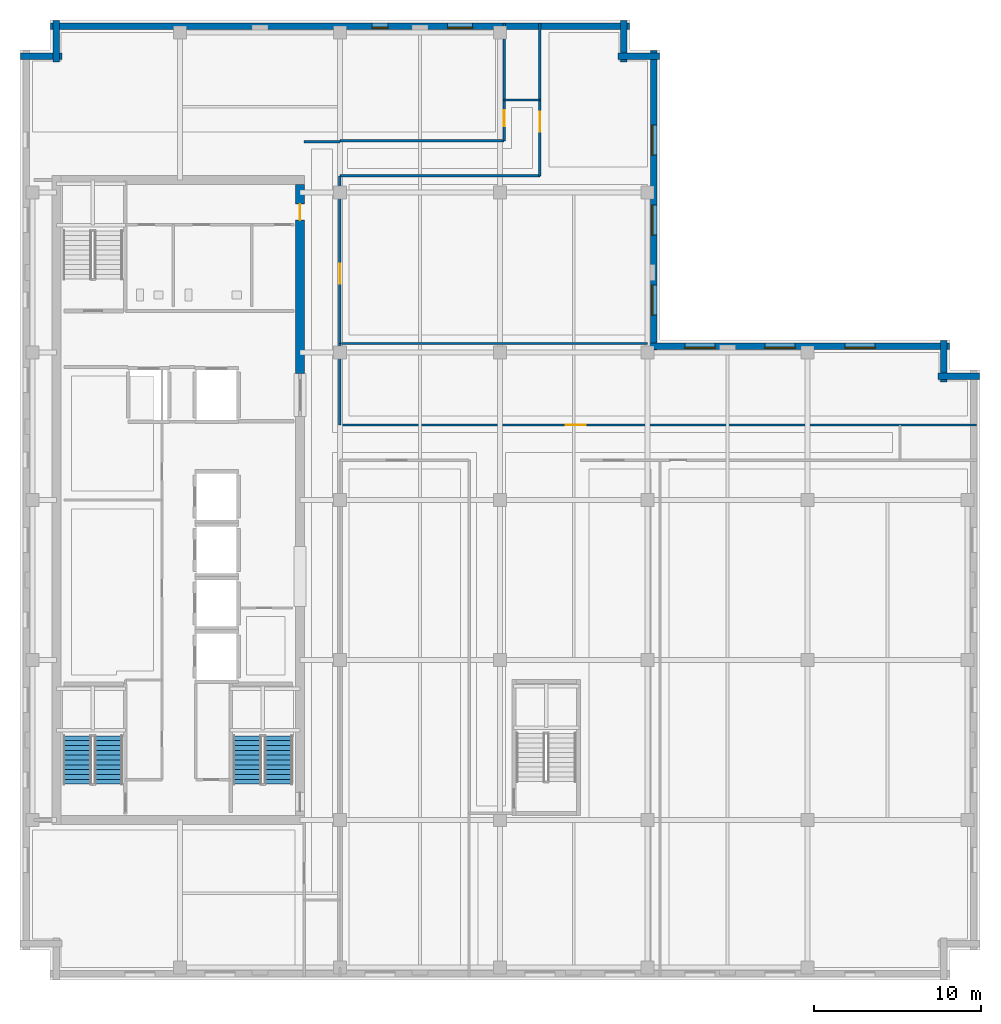
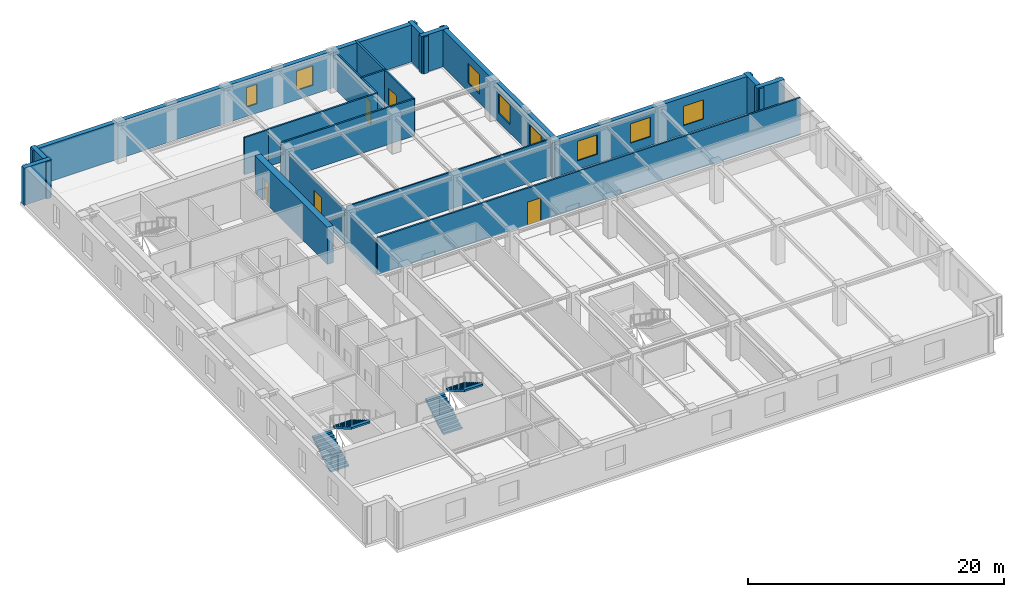
# One storey, part 6 of 12: 20 walls, 8 windows, 5 doors, 4 stair flights, 13 openings, 2 elements without a shape of their own.
"""IFC4 building model written with IfcOpenShell, lengths in metres."""

from ifc_helpers import new_model, si_unit, direction, frame, frame_2d, origin, place, context, subcontext, project, spatial, polyline, rectangle, outline, extrude, material, layer, layer_set, type_object, element, fill, aggregate, save


model = new_model("IFC4")

# Units and contexts
model_context = context("Model", 3, precision=1e-05, world=origin(), true_north=direction((0.0, 1.0)))
body_context = subcontext(model_context, "Body", "Model", "MODEL_VIEW")
ifc_project = project(units=[si_unit("LENGTHUNIT", "METRE"), si_unit("AREAUNIT", "SQUARE_METRE"), si_unit("VOLUMEUNIT", "CUBIC_METRE"), si_unit("PLANEANGLEUNIT", "RADIAN"), si_unit("MASSUNIT", "GRAM", prefix="KILO")], contexts=[model_context])

# Site, building, storey
site_placement = place(None, origin())
site = spatial("IfcSite", under=ifc_project, at=site_placement, CompositionType="ELEMENT")
building_placement = place(site_placement, origin())
building = spatial("IfcBuilding", under=site, at=building_placement, Name="Norrvale University Quadrangle", CompositionType="ELEMENT")
storey_placement = place(building_placement, frame((0.0, 0.0, 237.0)))
storey = spatial("IfcBuildingStorey", under=building, at=storey_placement, Name="L60", CompositionType="ELEMENT", Elevation=237.0)

# Wall, opening, door
ifc_material_1 = material(Name="Concrete C60/75", Category="concrete")
ifc_layer_1 = layer(ifc_material_1, 0.550048828125, Name="Concrete C60/75")
ifc_layer_set_1 = layer_set([ifc_layer_1], Name="Concrete C60/75")
wall_type_1 = type_object("IfcWallType", Name="Wall Core 550", PredefinedType="SHEAR", material=ifc_layer_set_1)
wall_1_placement = place(storey_placement, frame((16.800048828125, 36.39990234375, 0.0), z_axis=(0.0, 0.0, 1.0), x_axis=(0.0, 1.0, 0.0)))
wall_1 = element("IfcWall", 1, at=wall_1_placement, inside=storey, type_object=wall_type_1, Name="Tower Core Shear Wall L60-E3", PredefinedType="SHEAR", context=body_context, shape_type="SweptSolid", body=[
    extrude(rectangle(XDim=11.3251953125, YDim=0.550048828125, at=frame_2d((5.66259765625, 0.0))), origin(), (0.0, 0.0, 1.0), 3.5400390625),
])
opening_1_placement = place(wall_1_placement, frame((9.199951171875, 0.0, 0.0)))
opening_1 = element("IfcOpeningElement", 2, at=opening_1_placement, cuts=wall_1, Name="Opening D07", PredefinedType="OPENING", context=body_context, shape_type="SweptSolid", body=[
    extrude(rectangle(XDim=0.949951171875, YDim=2.14990234375, at=frame_2d((0.47509765625, 1.074951171875))), frame((0.0, 0.287109375, 0.0), z_axis=(0.0, -1.0, 0.0), x_axis=(1.0, 0.0, 0.0)), (0.0, 0.0, 1.0), 0.573974609375),
])
ifc_material_2 = material(Name="Solid-Core Maple Door", Category="wood")
door_type_1 = type_object("IfcDoorType", Name="Door Office 950x2150", OperationType="NOTDEFINED", PredefinedType="DOOR", material=ifc_material_2)
door_1_placement = place(opening_1_placement, origin())
door_1 = element("IfcDoor", 3, at=door_1_placement, inside=storey, type_object=door_type_1, Name="Door Office 950x2150 DR-L60-NECORR", OperationType="SINGLE_SWING_LEFT", OverallHeight=2.14990234375, OverallWidth=0.949951171875, PredefinedType="DOOR", context=body_context, shape_type="SweptSolid", body=[
    extrude(rectangle(XDim=0.949951171875, YDim=2.14990234375, at=frame_2d((0.47509765625, 1.074951171875))), frame((0.0, 0.02490234375, 0.0), z_axis=(0.0, -1.0, 0.0), x_axis=(1.0, 0.0, 0.0)), (0.0, 0.0, 1.0), 0.050048828125),
])
fill(opening_1, door_1)

# Walls
ifc_material_3 = material(Name="Standard Academic Gypsum Partition")
ifc_layer_2 = layer(ifc_material_3, 0.125, Name="Standard Academic Gypsum Partition")
ifc_layer_set_2 = layer_set([ifc_layer_2], Name="Standard Academic Gypsum Partition")
wall_type_2 = type_object("IfcWallType", Name="Wall Gypsum Academic 125", PredefinedType="PARTITIONING", material=ifc_layer_set_2)
wall_2_placement = place(storey_placement, frame((19.280029296875, 38.179931640625, 0.0), z_axis=(0.0, 0.0, 1.0), x_axis=(1.0, 0.0, 0.0)))
element("IfcWall", 4, at=wall_2_placement, inside=storey, type_object=wall_type_2, Name="Interior Partition WL-L60-ME-N", PredefinedType="PARTITIONING", context=body_context, shape_type="SweptSolid", body=[
    extrude(rectangle(XDim=18.369873046875, YDim=0.125, at=frame_2d((9.18505859375, 0.0))), origin(), (0.0, 0.0, 1.0), 3.5400390625),
])
ifc_material_4 = material(Name="Fire-Rated Gypsum Stud Partition")
ifc_layer_3 = layer(ifc_material_4, 0.14990234375, Name="Fire-Rated Gypsum Stud Partition")
ifc_layer_set_3 = layer_set([ifc_layer_3], Name="Fire-Rated Gypsum Stud Partition")
wall_type_3 = type_object("IfcWallType", Name="Wall Gypsum Corridor 150", PredefinedType="PARTITIONING", material=ifc_layer_set_3)
wall_3_placement = place(storey_placement, frame((17.050048828125, 50.300048828125, 0.0), z_axis=(0.0, 0.0, 1.0), x_axis=(1.0, 0.0, 0.0)))
element("IfcWall", 5, at=wall_3_placement, inside=storey, type_object=wall_type_3, Name="Interior Partition WL-L60-CSP-N", PredefinedType="PARTITIONING", context=body_context, shape_type="SweptSolid", body=[
    extrude(rectangle(XDim=2.14990234375, YDim=0.14990234375, at=frame_2d((1.074951171875, 0.0))), origin(), (0.0, 0.0, 1.0), 3.5400390625),
])

# Wall, opening, door
wall_4_placement = place(storey_placement, frame((19.199951171875, 33.300048828125, 0.0), z_axis=(0.0, 0.0, 1.0), x_axis=(1.0, 0.0, 0.0)))
wall_4 = element("IfcWall", 6, at=wall_4_placement, inside=storey, type_object=wall_type_3, Name="Interior Partition WL-L60-MECW", PredefinedType="PARTITIONING", context=body_context, shape_type="SweptSolid", body=[
    extrude(rectangle(XDim=38.179931640625, YDim=0.14990234375, at=frame_2d((19.08984375, 0.0))), origin(), (0.0, 0.0, 1.0), 3.5400390625),
])
opening_2_placement = place(wall_4_placement, frame((13.550048828125, 0.0, 0.0)))
opening_2 = element("IfcOpeningElement", 7, at=opening_2_placement, cuts=wall_4, Name="Opening D05", PredefinedType="OPENING", context=body_context, shape_type="SweptSolid", body=[
    extrude(rectangle(XDim=1.199951171875, YDim=2.199951171875, at=frame_2d((0.60009765625, 1.10009765625))), frame((0.0, 0.0869140625, 0.0), z_axis=(0.0, -1.0, 0.0), x_axis=(1.0, 0.0, 0.0)), (0.0, 0.0, 1.0), 0.173828125),
])
ifc_material_5 = material(Name="Acoustic Oak Classroom Door", Category="wood")
door_type_2 = type_object("IfcDoorType", Name="Door Classroom 1200x2200", OperationType="NOTDEFINED", PredefinedType="DOOR", material=ifc_material_5)
door_2_placement = place(opening_2_placement, origin())
door_2 = element("IfcDoor", 8, at=door_2_placement, inside=storey, type_object=door_type_2, Name="Door Classroom 1200x2200 DR-L60-ME01", OperationType="SINGLE_SWING_LEFT", OverallHeight=2.199951171875, OverallWidth=1.199951171875, PredefinedType="DOOR", context=body_context, shape_type="SweptSolid", body=[
    extrude(rectangle(XDim=1.199951171875, YDim=2.199951171875, at=frame_2d((0.60009765625, 1.10009765625))), frame((0.0, 0.02490234375, 0.0), z_axis=(0.0, -1.0, 0.0), x_axis=(1.0, 0.0, 0.0)), (0.0, 0.0, 1.0), 0.050048828125),
])
fill(opening_2, door_2)

# Wall
wall_5_placement = place(storey_placement, frame((19.199951171875, 33.300048828125, 0.0), z_axis=(0.0, 0.0, 1.0), x_axis=(0.0, 1.0, 0.0)))
element("IfcWall", 9, at=wall_5_placement, inside=storey, type_object=wall_type_3, Name="Interior Partition WL-L60-ME-W", PredefinedType="PARTITIONING", context=body_context, shape_type="SweptSolid", body=[
    extrude(rectangle(XDim=4.8798828125, YDim=0.14990234375, at=frame_2d((2.43994140625, 0.0))), origin(), (0.0, 0.0, 1.0), 3.23193359375),
])

# Wall, opening, door
wall_6_placement = place(storey_placement, frame((19.199951171875, 38.179931640625, 0.0), z_axis=(0.0, 0.0, 1.0), x_axis=(0.0, 1.0, 0.0)))
wall_6 = element("IfcWall", 10, at=wall_6_placement, inside=storey, type_object=wall_type_3, Name="Interior Partition WL-L60-MNECW", PredefinedType="PARTITIONING", context=body_context, shape_type="SweptSolid", body=[
    extrude(rectangle(XDim=10.070068359375, YDim=0.14990234375, at=frame_2d((5.03515625, 0.0))), origin(), (0.0, 0.0, 1.0), 3.23193359375),
])
opening_3_placement = place(wall_6_placement, frame((3.60009765625, 0.0, 0.0)))
opening_3 = element("IfcOpeningElement", 11, at=opening_3_placement, cuts=wall_6, Name="Opening D05", PredefinedType="OPENING", context=body_context, shape_type="SweptSolid", body=[
    extrude(rectangle(XDim=1.199951171875, YDim=2.199951171875, at=frame_2d((0.60009765625, 1.10009765625))), frame((0.0, 0.0869140625, 0.0), z_axis=(0.0, -1.0, 0.0), x_axis=(1.0, 0.0, 0.0)), (0.0, 0.0, 1.0), 0.173828125),
])
door_3_placement = place(opening_3_placement, origin())
door_3 = element("IfcDoor", 12, at=door_3_placement, inside=storey, type_object=door_type_2, Name="Door Classroom 1200x2200 DR-L60-MNE01", OperationType="SINGLE_SWING_RIGHT", OverallHeight=2.199951171875, OverallWidth=1.199951171875, PredefinedType="DOOR", context=body_context, shape_type="SweptSolid", body=[
    extrude(rectangle(XDim=1.199951171875, YDim=2.199951171875, at=frame_2d((0.60009765625, 1.10009765625))), frame((0.0, 0.02490234375, 0.0), z_axis=(0.0, -1.0, 0.0), x_axis=(1.0, 0.0, 0.0)), (0.0, 0.0, 1.0), 0.050048828125),
])
fill(opening_3, door_3)

# Walls
wall_7_placement = place(storey_placement, frame((19.199951171875, 48.25, 0.0), z_axis=(0.0, 0.0, 1.0), x_axis=(1.0, 0.0, 0.0)))
element("IfcWall", 13, at=wall_7_placement, inside=storey, type_object=wall_type_3, Name="Interior Partition WL-L60-JOGS", PredefinedType="PARTITIONING", context=body_context, shape_type="SweptSolid", body=[
    extrude(rectangle(XDim=12.0, YDim=0.14990234375, at=frame_2d((6.0, 0.0))), origin(), (0.0, 0.0, 1.0), 3.5400390625),
])
wall_8_placement = place(storey_placement, frame((19.199951171875, 50.35009765625, 0.0), z_axis=(0.0, 0.0, 1.0), x_axis=(1.0, 0.0, 0.0)))
element("IfcWall", 14, at=wall_8_placement, inside=storey, type_object=wall_type_3, Name="Interior Partition WL-L60-JOGN", PredefinedType="PARTITIONING", context=body_context, shape_type="SweptSolid", body=[
    extrude(rectangle(XDim=9.85009765625, YDim=0.14990234375, at=frame_2d((4.925048828125, 0.0))), origin(), (0.0, 0.0, 1.0), 3.5400390625),
])
wall_9_placement = place(storey_placement, frame((29.050048828125, 52.800048828125, 0.0), z_axis=(0.0, 0.0, 1.0), x_axis=(1.0, 0.0, 0.0)))
element("IfcWall", 15, at=wall_9_placement, inside=storey, type_object=wall_type_3, Name="Interior Partition WL-L60-JOGEND", PredefinedType="PARTITIONING", context=body_context, shape_type="SweptSolid", body=[
    extrude(rectangle(XDim=2.14990234375, YDim=0.14990234375, at=frame_2d((1.074951171875, 0.0))), origin(), (0.0, 0.0, 1.0), 3.5400390625),
])

# Wall, opening, door
wall_10_placement = place(storey_placement, frame((31.199951171875, 48.25, 0.0), z_axis=(0.0, 0.0, 1.0), x_axis=(0.0, 1.0, 0.0)))
wall_10 = element("IfcWall", 16, at=wall_10_placement, inside=storey, type_object=wall_type_3, Name="Interior Partition WL-L60-NECW", PredefinedType="PARTITIONING", context=body_context, shape_type="SweptSolid", body=[
    extrude(rectangle(XDim=9.1298828125, YDim=0.14990234375, at=frame_2d((4.56494140625, 0.0))), origin(), (0.0, 0.0, 1.0), 3.5400390625),
])
opening_4_placement = place(wall_10_placement, frame((2.64990234375, 0.0, 0.0)))
opening_4 = element("IfcOpeningElement", 17, at=opening_4_placement, cuts=wall_10, Name="Opening D05", PredefinedType="OPENING", context=body_context, shape_type="SweptSolid", body=[
    extrude(rectangle(XDim=1.199951171875, YDim=2.199951171875, at=frame_2d((0.60009765625, 1.10009765625))), frame((0.0, 0.0869140625, 0.0), z_axis=(0.0, -1.0, 0.0), x_axis=(1.0, 0.0, 0.0)), (0.0, 0.0, 1.0), 0.173828125),
])
door_4_placement = place(opening_4_placement, origin())
door_4 = element("IfcDoor", 18, at=door_4_placement, inside=storey, type_object=door_type_2, Name="Door Classroom 1200x2200 DR-L60-NE01", OperationType="SINGLE_SWING_RIGHT", OverallHeight=2.199951171875, OverallWidth=1.199951171875, PredefinedType="DOOR", context=body_context, shape_type="SweptSolid", body=[
    extrude(rectangle(XDim=1.199951171875, YDim=2.199951171875, at=frame_2d((0.60009765625, 1.10009765625))), frame((0.0, 0.02490234375, 0.0), z_axis=(0.0, -1.0, 0.0), x_axis=(1.0, 0.0, 0.0)), (0.0, 0.0, 1.0), 0.050048828125),
])
fill(opening_4, door_4)

wall_11_placement = place(storey_placement, frame((29.050048828125, 50.35009765625, 0.0), z_axis=(0.0, 0.0, 1.0), x_axis=(0.0, 1.0, 0.0)))
wall_11 = element("IfcWall", 19, at=wall_11_placement, inside=storey, type_object=wall_type_3, Name="Interior Partition WL-L60-NWCW", PredefinedType="PARTITIONING", context=body_context, shape_type="SweptSolid", body=[
    extrude(rectangle(XDim=7.02978515625, YDim=0.14990234375, at=frame_2d((3.514892578125, 0.0))), origin(), (0.0, 0.0, 1.0), 3.5400390625),
])
opening_5_placement = place(wall_11_placement, frame((0.875, 0.0, 0.0)))
opening_5 = element("IfcOpeningElement", 20, at=opening_5_placement, cuts=wall_11, Name="Opening D07", PredefinedType="OPENING", context=body_context, shape_type="SweptSolid", body=[
    extrude(rectangle(XDim=0.949951171875, YDim=2.14990234375, at=frame_2d((0.47509765625, 1.074951171875))), frame((0.0, 0.0869140625, 0.0), z_axis=(0.0, -1.0, 0.0), x_axis=(1.0, 0.0, 0.0)), (0.0, 0.0, 1.0), 0.173828125),
])
door_5_placement = place(opening_5_placement, origin())
door_5 = element("IfcDoor", 21, at=door_5_placement, inside=storey, type_object=door_type_1, Name="Door Office 950x2150 DR-L60-NW01", OperationType="SINGLE_SWING_RIGHT", OverallHeight=2.14990234375, OverallWidth=0.949951171875, PredefinedType="DOOR", context=body_context, shape_type="SweptSolid", body=[
    extrude(rectangle(XDim=0.949951171875, YDim=2.14990234375, at=frame_2d((0.47509765625, 1.074951171875))), frame((0.0, 0.02490234375, 0.0), z_axis=(0.0, -1.0, 0.0), x_axis=(1.0, 0.0, 0.0)), (0.0, 0.0, 1.0), 0.050048828125),
])
fill(opening_5, door_5)

# Walls
ifc_material_6 = material(Name="Red Manganese Brick Masonry", Category="masonry")
ifc_layer_4 = layer(ifc_material_6, 0.39990234375, Name="Red Manganese Brick Masonry")
ifc_layer_set_4 = layer_set([ifc_layer_4], Name="Red Manganese Brick Masonry")
wall_type_4 = type_object("IfcWallType", Name="Wall Red Brick 400", PredefinedType="SOLIDWALL", material=ifc_layer_set_4)
wall_12_placement = place(storey_placement, frame((57.56005859375, 36.219970703125, 0.0), z_axis=(0.0, 0.0, 1.0), x_axis=(-1.0, 0.0, 0.0)))
element("IfcWall", 22, at=wall_12_placement, inside=storey, type_object=wall_type_4, Name="Exterior Brick Facade Wall L60-05.1", PredefinedType="SOLIDWALL", context=body_context, shape_type="SweptSolid", body=[
    extrude(rectangle(XDim=2.47998046875, YDim=0.39990234375, at=frame_2d((1.239990234375, 0.0))), origin(), (0.0, 0.0, 1.0), 3.5400390625),
])
wall_13_placement = place(storey_placement, frame((55.419921875, 35.8798828125, 0.0), z_axis=(0.0, 0.0, 1.0), x_axis=(0.0, 1.0, 0.0)))
element("IfcWall", 23, at=wall_13_placement, inside=storey, type_object=wall_type_4, Name="Exterior Brick Facade Wall L60-06.1", PredefinedType="SOLIDWALL", context=body_context, shape_type="SweptSolid", body=[
    extrude(rectangle(XDim=2.480224609375, YDim=0.39990234375, at=frame_2d((1.240234375, 0.0))), origin(), (0.0, 0.0, 1.0), 3.5400390625),
])

# Wall, openings, windows
wall_14_placement = place(storey_placement, frame((55.760009765625, 38.02001953125, 0.0), z_axis=(0.0, 0.0, 1.0), x_axis=(-1.0, 0.0, 0.0)))
wall_14 = element("IfcWall", 24, at=wall_14_placement, inside=storey, type_object=wall_type_4, Name="Exterior Brick Facade Wall L60-07.1", PredefinedType="SOLIDWALL", context=body_context, shape_type="SweptSolid", body=[
    extrude(rectangle(XDim=18.080078125, YDim=0.39990234375, at=frame_2d((9.0400390625, 0.0))), origin(), (0.0, 0.0, 1.0), 3.5400390625),
])
opening_6_placement = place(wall_14_placement, frame((4.4599609375, 0.0, 0.85009765625)))
opening_6 = element("IfcOpeningElement", 25, at=opening_6_placement, cuts=wall_14, Name="Opening W01", PredefinedType="OPENING", context=body_context, shape_type="SweptSolid", body=[
    extrude(rectangle(XDim=1.800048828125, YDim=1.85009765625, at=frame_2d((0.89990234375, 0.925048828125))), frame((0.0, 0.2119140625, 0.0), z_axis=(0.0, -1.0, 0.0), x_axis=(1.0, 0.0, 0.0)), (0.0, 0.0, 1.0), 0.423828125),
])
opening_7_placement = place(wall_14_placement, frame((9.260009765625, 0.0, 0.85009765625)))
opening_7 = element("IfcOpeningElement", 26, at=opening_7_placement, cuts=wall_14, Name="Opening W01", PredefinedType="OPENING", context=body_context, shape_type="SweptSolid", body=[
    extrude(rectangle(XDim=1.800048828125, YDim=1.85009765625, at=frame_2d((0.89990234375, 0.925048828125))), frame((0.0, 0.2119140625, 0.0), z_axis=(0.0, -1.0, 0.0), x_axis=(1.0, 0.0, 0.0)), (0.0, 0.0, 1.0), 0.423828125),
])
opening_8_placement = place(wall_14_placement, frame((14.06005859375, 0.0, 0.85009765625)))
opening_8 = element("IfcOpeningElement", 27, at=opening_8_placement, cuts=wall_14, Name="Opening W01", PredefinedType="OPENING", context=body_context, shape_type="SweptSolid", body=[
    extrude(rectangle(XDim=1.800048828125, YDim=1.85009765625, at=frame_2d((0.89990234375, 0.925048828125))), frame((0.0, 0.2119140625, 0.0), z_axis=(0.0, -1.0, 0.0), x_axis=(1.0, 0.0, 0.0)), (0.0, 0.0, 1.0), 0.423828125),
])
ifc_material_7 = material(Name="Triple Low-E Argon Glazing", Category="glass")
window_type_1 = type_object("IfcWindowType", Name="Window Academic 1800x2300", PartitioningType="DOUBLE_PANEL_VERTICAL", PredefinedType="WINDOW", material=ifc_material_7)
window_1_placement = place(opening_6_placement, origin())
window_1 = element("IfcWindow", 28, at=window_1_placement, inside=storey, type_object=window_type_1, Name="Window Academic 1800x2300 WIN-L60-E07-1-01", OverallHeight=1.85009765625, OverallWidth=1.800048828125, PartitioningType="DOUBLE_PANEL_VERTICAL", PredefinedType="WINDOW", context=body_context, shape_type="SweptSolid", body=[
    extrude(rectangle(XDim=1.800048828125, YDim=1.85009765625, at=frame_2d((0.89990234375, 0.925048828125))), frame((0.0, 0.110107421875, 0.0), z_axis=(0.0, -1.0, 0.0), x_axis=(1.0, 0.0, 0.0)), (0.0, 0.0, 1.0), 0.06005859375),
])
fill(opening_6, window_1)
window_2_placement = place(opening_7_placement, origin())
window_2 = element("IfcWindow", 29, at=window_2_placement, inside=storey, type_object=window_type_1, Name="Window Academic 1800x2300 WIN-L60-E07-1-02", OverallHeight=1.85009765625, OverallWidth=1.800048828125, PartitioningType="DOUBLE_PANEL_VERTICAL", PredefinedType="WINDOW", context=body_context, shape_type="SweptSolid", body=[
    extrude(rectangle(XDim=1.800048828125, YDim=1.85009765625, at=frame_2d((0.89990234375, 0.925048828125))), frame((0.0, 0.110107421875, 0.0), z_axis=(0.0, -1.0, 0.0), x_axis=(1.0, 0.0, 0.0)), (0.0, 0.0, 1.0), 0.06005859375),
])
fill(opening_7, window_2)
window_3_placement = place(opening_8_placement, origin())
window_3 = element("IfcWindow", 30, at=window_3_placement, inside=storey, type_object=window_type_1, Name="Window Academic 1800x2300 WIN-L60-E07-1-03", OverallHeight=1.85009765625, OverallWidth=1.800048828125, PartitioningType="DOUBLE_PANEL_VERTICAL", PredefinedType="WINDOW", context=body_context, shape_type="SweptSolid", body=[
    extrude(rectangle(XDim=1.800048828125, YDim=1.85009765625, at=frame_2d((0.89990234375, 0.925048828125))), frame((0.0, 0.110107421875, 0.0), z_axis=(0.0, -1.0, 0.0), x_axis=(1.0, 0.0, 0.0)), (0.0, 0.0, 1.0), 0.06005859375),
])
fill(opening_8, window_3)

wall_15_placement = place(storey_placement, frame((38.02001953125, 37.679931640625, 0.0), z_axis=(0.0, 0.0, 1.0), x_axis=(0.0, 1.0, 0.0)))
wall_15 = element("IfcWall", 31, at=wall_15_placement, inside=storey, type_object=wall_type_4, Name="Exterior Brick Facade Wall L60-08.1", PredefinedType="SOLIDWALL", context=body_context, shape_type="SweptSolid", body=[
    extrude(rectangle(XDim=18.080078125, YDim=0.39990234375, at=frame_2d((9.0400390625, 0.0))), origin(), (0.0, 0.0, 1.0), 3.5400390625),
])
opening_9_placement = place(wall_15_placement, frame((2.219970703125, 0.0, 0.85009765625)))
opening_9 = element("IfcOpeningElement", 32, at=opening_9_placement, cuts=wall_15, Name="Opening W01", PredefinedType="OPENING", context=body_context, shape_type="SweptSolid", body=[
    extrude(rectangle(XDim=1.800048828125, YDim=1.85009765625, at=frame_2d((0.89990234375, 0.925048828125))), frame((0.0, 0.2119140625, 0.0), z_axis=(0.0, -1.0, 0.0), x_axis=(1.0, 0.0, 0.0)), (0.0, 0.0, 1.0), 0.423828125),
])
opening_10_placement = place(wall_15_placement, frame((7.02001953125, 0.0, 0.85009765625)))
opening_10 = element("IfcOpeningElement", 33, at=opening_10_placement, cuts=wall_15, Name="Opening W01", PredefinedType="OPENING", context=body_context, shape_type="SweptSolid", body=[
    extrude(rectangle(XDim=1.800048828125, YDim=1.85009765625, at=frame_2d((0.89990234375, 0.925048828125))), frame((0.0, 0.2119140625, 0.0), z_axis=(0.0, -1.0, 0.0), x_axis=(1.0, 0.0, 0.0)), (0.0, 0.0, 1.0), 0.423828125),
])
opening_11_placement = place(wall_15_placement, frame((11.820068359375, 0.0, 0.85009765625)))
opening_11 = element("IfcOpeningElement", 34, at=opening_11_placement, cuts=wall_15, Name="Opening W01", PredefinedType="OPENING", context=body_context, shape_type="SweptSolid", body=[
    extrude(rectangle(XDim=1.800048828125, YDim=1.85009765625, at=frame_2d((0.89990234375, 0.925048828125))), frame((0.0, 0.2119140625, 0.0), z_axis=(0.0, -1.0, 0.0), x_axis=(1.0, 0.0, 0.0)), (0.0, 0.0, 1.0), 0.423828125),
])
window_4_placement = place(opening_9_placement, origin())
window_4 = element("IfcWindow", 35, at=window_4_placement, inside=storey, type_object=window_type_1, Name="Window Academic 1800x2300 WIN-L60-E08-1-01", OverallHeight=1.85009765625, OverallWidth=1.800048828125, PartitioningType="DOUBLE_PANEL_VERTICAL", PredefinedType="WINDOW", context=body_context, shape_type="SweptSolid", body=[
    extrude(rectangle(XDim=1.800048828125, YDim=1.85009765625, at=frame_2d((0.89990234375, 0.925048828125))), frame((0.0, 0.110107421875, 0.0), z_axis=(0.0, -1.0, 0.0), x_axis=(1.0, 0.0, 0.0)), (0.0, 0.0, 1.0), 0.06005859375),
])
fill(opening_9, window_4)
window_5_placement = place(opening_10_placement, origin())
window_5 = element("IfcWindow", 36, at=window_5_placement, inside=storey, type_object=window_type_1, Name="Window Academic 1800x2300 WIN-L60-E08-1-02", OverallHeight=1.85009765625, OverallWidth=1.800048828125, PartitioningType="DOUBLE_PANEL_VERTICAL", PredefinedType="WINDOW", context=body_context, shape_type="SweptSolid", body=[
    extrude(rectangle(XDim=1.800048828125, YDim=1.85009765625, at=frame_2d((0.89990234375, 0.925048828125))), frame((0.0, 0.110107421875, 0.0), z_axis=(0.0, -1.0, 0.0), x_axis=(1.0, 0.0, 0.0)), (0.0, 0.0, 1.0), 0.06005859375),
])
fill(opening_10, window_5)
window_6_placement = place(opening_11_placement, origin())
window_6 = element("IfcWindow", 37, at=window_6_placement, inside=storey, type_object=window_type_1, Name="Window Academic 1800x2300 WIN-L60-E08-1-03", OverallHeight=1.85009765625, OverallWidth=1.800048828125, PartitioningType="DOUBLE_PANEL_VERTICAL", PredefinedType="WINDOW", context=body_context, shape_type="SweptSolid", body=[
    extrude(rectangle(XDim=1.800048828125, YDim=1.85009765625, at=frame_2d((0.89990234375, 0.925048828125))), frame((0.0, 0.110107421875, 0.0), z_axis=(0.0, -1.0, 0.0), x_axis=(1.0, 0.0, 0.0)), (0.0, 0.0, 1.0), 0.06005859375),
])
fill(opening_11, window_6)

# Walls
wall_16_placement = place(storey_placement, frame((38.360107421875, 55.419921875, 0.0), z_axis=(0.0, 0.0, 1.0), x_axis=(-1.0, 0.0, 0.0)))
element("IfcWall", 38, at=wall_16_placement, inside=storey, type_object=wall_type_4, Name="Exterior Brick Facade Wall L60-09.1", PredefinedType="SOLIDWALL", context=body_context, shape_type="SweptSolid", body=[
    extrude(rectangle(XDim=2.480224609375, YDim=0.39990234375, at=frame_2d((1.240234375, 0.0))), origin(), (0.0, 0.0, 1.0), 3.5400390625),
])
wall_17_placement = place(storey_placement, frame((36.219970703125, 55.080078125, 0.0), z_axis=(0.0, 0.0, 1.0), x_axis=(0.0, 1.0, 0.0)))
element("IfcWall", 39, at=wall_17_placement, inside=storey, type_object=wall_type_4, Name="Exterior Brick Facade Wall L60-10.1", PredefinedType="SOLIDWALL", context=body_context, shape_type="SweptSolid", body=[
    extrude(rectangle(XDim=2.47998046875, YDim=0.39990234375, at=frame_2d((1.239990234375, 0.0))), origin(), (0.0, 0.0, 1.0), 3.5400390625),
])

# Wall, openings, windows
wall_18_placement = place(storey_placement, frame((36.56005859375, 57.219970703125, 0.0), z_axis=(0.0, 0.0, 1.0), x_axis=(-1.0, 0.0, 0.0)))
wall_18 = element("IfcWall", 40, at=wall_18_placement, inside=storey, type_object=wall_type_4, Name="Exterior Brick Facade Wall L60-11.1", PredefinedType="SOLIDWALL", context=body_context, shape_type="SweptSolid", body=[
    extrude(rectangle(XDim=34.719970703125, YDim=0.39990234375, at=frame_2d((17.35986328125, 0.0))), origin(), (0.0, 0.0, 1.0), 3.5400390625),
])
opening_12_placement = place(wall_18_placement, frame((9.409912109375, 0.0, 0.89990234375)))
opening_12 = element("IfcOpeningElement", 41, at=opening_12_placement, cuts=wall_18, Name="Opening W03", PredefinedType="OPENING", context=body_context, shape_type="SweptSolid", body=[
    extrude(rectangle(XDim=1.5, YDim=1.85009765625, at=frame_2d((0.75, 0.925048828125))), frame((0.0, 0.2119140625, 0.0), z_axis=(0.0, -1.0, 0.0), x_axis=(1.0, 0.0, 0.0)), (0.0, 0.0, 1.0), 0.423828125),
])
opening_13_placement = place(wall_18_placement, frame((14.485107421875, 0.0, 0.89990234375)))
opening_13 = element("IfcOpeningElement", 42, at=opening_13_placement, cuts=wall_18, Name="Opening W04", PredefinedType="OPENING", context=body_context, shape_type="SweptSolid", body=[
    extrude(rectangle(XDim=0.949951171875, YDim=1.85009765625, at=frame_2d((0.47509765625, 0.925048828125))), frame((0.0, 0.2119140625, 0.0), z_axis=(0.0, -1.0, 0.0), x_axis=(1.0, 0.0, 0.0)), (0.0, 0.0, 1.0), 0.423828125),
])
window_type_2 = type_object("IfcWindowType", Name="Window Narrow Pier 950x2300", PartitioningType="SINGLE_PANEL", PredefinedType="WINDOW", material=ifc_material_7)
window_7_placement = place(opening_13_placement, origin())
window_7 = element("IfcWindow", 43, at=window_7_placement, inside=storey, type_object=window_type_2, Name="Window Narrow Pier 950x2300 WIN-L60-E11-1-02", OverallHeight=1.85009765625, OverallWidth=0.949951171875, PartitioningType="SINGLE_PANEL", PredefinedType="WINDOW", context=body_context, shape_type="SweptSolid", body=[
    extrude(rectangle(XDim=0.949951171875, YDim=1.85009765625, at=frame_2d((0.47509765625, 0.925048828125))), frame((0.0, 0.110107421875, 0.0), z_axis=(0.0, -1.0, 0.0), x_axis=(1.0, 0.0, 0.0)), (0.0, 0.0, 1.0), 0.06005859375),
])
fill(opening_13, window_7)
window_type_3 = type_object("IfcWindowType", Name="Window Studio 1500x2300", PartitioningType="DOUBLE_PANEL_VERTICAL", PredefinedType="WINDOW", material=ifc_material_7)
window_8_placement = place(opening_12_placement, origin())
window_8 = element("IfcWindow", 44, at=window_8_placement, inside=storey, type_object=window_type_3, Name="Window Studio 1500x2300 WIN-L60-E11-1-01", OverallHeight=1.85009765625, OverallWidth=1.5, PartitioningType="DOUBLE_PANEL_VERTICAL", PredefinedType="WINDOW", context=body_context, shape_type="SweptSolid", body=[
    extrude(rectangle(XDim=1.5, YDim=1.85009765625, at=frame_2d((0.75, 0.925048828125))), frame((0.0, 0.110107421875, 0.0), z_axis=(0.0, -1.0, 0.0), x_axis=(1.0, 0.0, 0.0)), (0.0, 0.0, 1.0), 0.06005859375),
])
fill(opening_12, window_8)

# Walls
for number, where, z_axis, x_axis, name in (
    (45, (2.179931640625, 57.56005859375, 0.0), (0.0, 0.0, 1.0), (0.0, -1.0, 0.0), "Exterior Brick Facade Wall L60-12.1"),
    (46, (2.52001953125, 55.419921875, 0.0), (0.0, 0.0, 1.0), (-1.0, 0.0, 0.0), "Exterior Brick Facade Wall L60-13.1"),
):
    element("IfcWall", number, at=place(storey_placement, frame(where, z_axis=z_axis, x_axis=x_axis)), inside=storey, type_object=wall_type_4, Name=name, PredefinedType="SOLIDWALL", context=body_context, shape_type="SweptSolid", body=[
        extrude(rectangle(XDim=2.47998046875, YDim=0.39990234375, at=frame_2d((1.239990234375, 0.0))), origin(), (0.0, 0.0, 1.0), 3.5400390625),
    ])

# Stair, stair flights
ifc_material_8 = material(Name="Concrete C40/50", Category="concrete")
stair_type = type_object("IfcStairType", Name="Stair Tower Typ 3800", PredefinedType="TWO_STRAIGHT_RUN_STAIR", material=ifc_material_8)
stair_1_placement = place(storey_placement, origin())
stair_1 = element("IfcStair", 47, at=stair_1_placement, inside=storey, type_object=stair_type, Name="Exit Stair ST-01 L60", PredefinedType="TWO_STRAIGHT_RUN_STAIR")
stair_flight_type = type_object("IfcStairFlightType", Name="Flight Typ 1500", PredefinedType="STRAIGHT", material=ifc_material_8)
stair_flight_1_placement = place(storey_placement, frame((3.429931640625, 11.75, 0.0), z_axis=(0.0, 0.0, 1.0), x_axis=(0.0, 1.0, 0.0)))
stair_flight_1 = element("IfcStairFlight", 48, at=stair_flight_1_placement, type_object=stair_flight_type, Name="Exit Stair ST-01 L60 Lower Flight", NumberOfRisers=11, NumberOfTreads=10, PredefinedType="STRAIGHT", RiserHeight=0.172727, TreadLength=0.29, context=body_context, shape_type="SweptSolid", body=[
    extrude(outline(polyline([(0.0, 0.0), (0.0, 0.172607421875), (0.2900390625, 0.172607421875), (0.2900390625, 0.345458984375), (0.580078125, 0.345458984375), (0.580078125, 0.51806640625), (0.8701171875, 0.51806640625), (0.8701171875, 0.69091796875), (1.159912109375, 0.69091796875), (1.159912109375, 0.863525390625), (1.449951171875, 0.863525390625), (1.449951171875, 1.036376953125), (1.739990234375, 1.036376953125), (1.739990234375, 1.208984375), (2.030029296875, 1.208984375), (2.030029296875, 1.3818359375), (2.320068359375, 1.3818359375), (2.320068359375, 1.554443359375), (2.610107421875, 1.554443359375), (2.610107421875, 1.727294921875), (2.89990234375, 1.727294921875), (2.89990234375, 1.89990234375), (2.89990234375, 1.552734375), (0.29296875, 0.0), (0.0, 0.0)])), frame((0.0, 0.83984375, 0.0), z_axis=(0.0, -1.0, 0.0), x_axis=(1.0, 0.0, 0.0)), (0.0, 0.0, 1.0), 1.679931640625),
])
stair_flight_2_placement = place(storey_placement, frame((5.320068359375, 14.64990234375, 1.89990234375), z_axis=(0.0, 0.0, 1.0), x_axis=(0.0, -1.0, 0.0)))
stair_flight_2 = element("IfcStairFlight", 49, at=stair_flight_2_placement, type_object=stair_flight_type, Name="Exit Stair ST-01 L60 Upper Flight", NumberOfRisers=11, NumberOfTreads=10, PredefinedType="STRAIGHT", RiserHeight=0.172727, TreadLength=0.29, context=body_context, shape_type="SweptSolid", body=[
    extrude(outline(polyline([(0.0, 0.0), (0.0, 0.172607421875), (0.2900390625, 0.172607421875), (0.2900390625, 0.345458984375), (0.580078125, 0.345458984375), (0.580078125, 0.51806640625), (0.8701171875, 0.51806640625), (0.8701171875, 0.69091796875), (1.159912109375, 0.69091796875), (1.159912109375, 0.863525390625), (1.449951171875, 0.863525390625), (1.449951171875, 1.036376953125), (1.739990234375, 1.036376953125), (1.739990234375, 1.208984375), (2.030029296875, 1.208984375), (2.030029296875, 1.3818359375), (2.320068359375, 1.3818359375), (2.320068359375, 1.554443359375), (2.610107421875, 1.554443359375), (2.610107421875, 1.727294921875), (2.89990234375, 1.727294921875), (2.89990234375, 1.89990234375), (2.89990234375, 1.552734375), (0.29296875, 0.0), (0.0, 0.0)])), frame((0.0, 0.83984375, 0.0), z_axis=(0.0, -1.0, 0.0), x_axis=(1.0, 0.0, 0.0)), (0.0, 0.0, 1.0), 1.679931640625),
])
aggregate(stair_1, [stair_flight_1, stair_flight_2])

stair_2_placement = place(storey_placement, origin())
stair_2 = element("IfcStair", 50, at=stair_2_placement, inside=storey, type_object=stair_type, Name="Exit Stair ST-03 L60", PredefinedType="TWO_STRAIGHT_RUN_STAIR")
stair_flight_3_placement = place(storey_placement, frame((13.6298828125, 11.75, 0.0), z_axis=(0.0, 0.0, 1.0), x_axis=(0.0, 1.0, 0.0)))
stair_flight_3 = element("IfcStairFlight", 51, at=stair_flight_3_placement, type_object=stair_flight_type, Name="Exit Stair ST-03 L60 Lower Flight", NumberOfRisers=11, NumberOfTreads=10, PredefinedType="STRAIGHT", RiserHeight=0.172727, TreadLength=0.29, context=body_context, shape_type="SweptSolid", body=[
    extrude(outline(polyline([(0.0, 0.0), (0.0, 0.172607421875), (0.2900390625, 0.172607421875), (0.2900390625, 0.345458984375), (0.580078125, 0.345458984375), (0.580078125, 0.51806640625), (0.8701171875, 0.51806640625), (0.8701171875, 0.69091796875), (1.159912109375, 0.69091796875), (1.159912109375, 0.863525390625), (1.449951171875, 0.863525390625), (1.449951171875, 1.036376953125), (1.739990234375, 1.036376953125), (1.739990234375, 1.208984375), (2.030029296875, 1.208984375), (2.030029296875, 1.3818359375), (2.320068359375, 1.3818359375), (2.320068359375, 1.554443359375), (2.610107421875, 1.554443359375), (2.610107421875, 1.727294921875), (2.89990234375, 1.727294921875), (2.89990234375, 1.89990234375), (2.89990234375, 1.552734375), (0.29296875, 0.0), (0.0, 0.0)])), frame((0.0, 0.83984375, 0.0), z_axis=(0.0, -1.0, 0.0), x_axis=(1.0, 0.0, 0.0)), (0.0, 0.0, 1.0), 1.679931640625),
])
stair_flight_4_placement = place(storey_placement, frame((15.52001953125, 14.64990234375, 1.89990234375), z_axis=(0.0, 0.0, 1.0), x_axis=(0.0, -1.0, 0.0)))
stair_flight_4 = element("IfcStairFlight", 52, at=stair_flight_4_placement, type_object=stair_flight_type, Name="Exit Stair ST-03 L60 Upper Flight", NumberOfRisers=11, NumberOfTreads=10, PredefinedType="STRAIGHT", RiserHeight=0.172727, TreadLength=0.29, context=body_context, shape_type="SweptSolid", body=[
    extrude(outline(polyline([(0.0, 0.0), (0.0, 0.172607421875), (0.2900390625, 0.172607421875), (0.2900390625, 0.345458984375), (0.580078125, 0.345458984375), (0.580078125, 0.51806640625), (0.8701171875, 0.51806640625), (0.8701171875, 0.69091796875), (1.159912109375, 0.69091796875), (1.159912109375, 0.863525390625), (1.449951171875, 0.863525390625), (1.449951171875, 1.036376953125), (1.739990234375, 1.036376953125), (1.739990234375, 1.208984375), (2.030029296875, 1.208984375), (2.030029296875, 1.3818359375), (2.320068359375, 1.3818359375), (2.320068359375, 1.554443359375), (2.610107421875, 1.554443359375), (2.610107421875, 1.727294921875), (2.89990234375, 1.727294921875), (2.89990234375, 1.89990234375), (2.89990234375, 1.552734375), (0.29296875, 0.0), (0.0, 0.0)])), frame((0.0, 0.83984375, 0.0), z_axis=(0.0, -1.0, 0.0), x_axis=(1.0, 0.0, 0.0)), (0.0, 0.0, 1.0), 1.679931640625),
])
aggregate(stair_2, [stair_flight_3, stair_flight_4])

save(model, "model.ifc")
